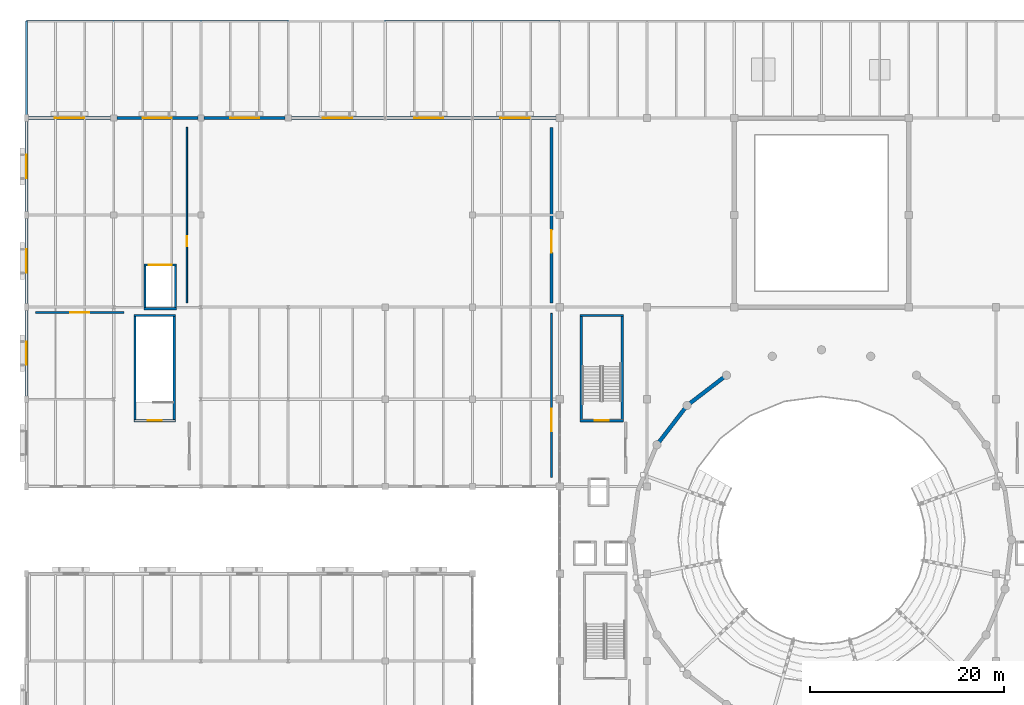
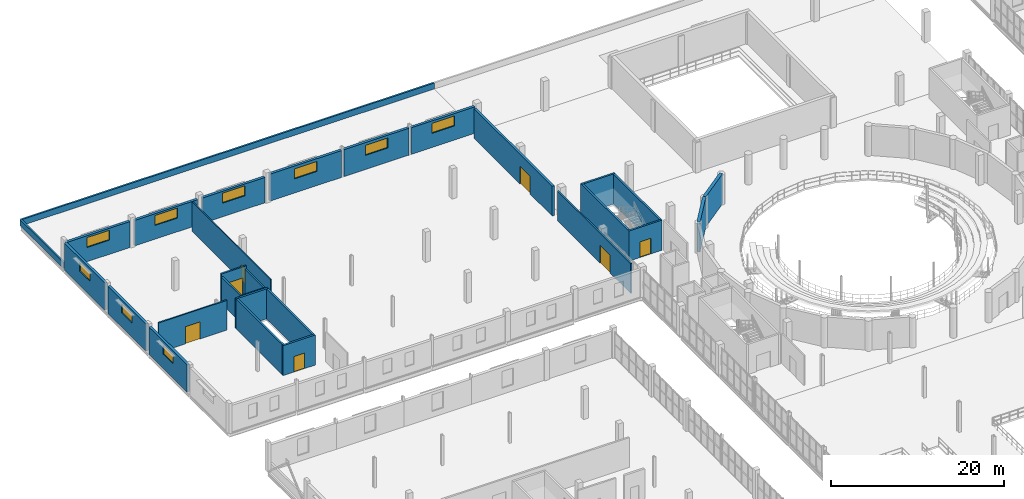
# One storey, part 66 of 85: 29 walls, 9 windows, 7 doors, 16 openings.
"""IFC4 building model written with IfcOpenShell, lengths in metres."""

from ifc_helpers import new_model, si_unit, direction, frame, frame_2d, origin, place, context, subcontext, project, spatial, rectangle, extrude, material, layer, layer_set, type_object, element, fill, save


model = new_model("IFC4")

# Units and contexts
model_context = context("Model", 3, precision=1e-05, world=origin(), true_north=direction((0.0, 1.0)))
body_context = subcontext(model_context, "Body", "Model", "MODEL_VIEW")
ifc_project = project(units=[si_unit("LENGTHUNIT", "METRE"), si_unit("AREAUNIT", "SQUARE_METRE"), si_unit("VOLUMEUNIT", "CUBIC_METRE"), si_unit("PLANEANGLEUNIT", "RADIAN"), si_unit("MASSUNIT", "GRAM", prefix="KILO")], contexts=[model_context])

# Site, building, storey
site_placement = place(None, origin())
site = spatial("IfcSite", under=ifc_project, at=site_placement, CompositionType="ELEMENT")
building_placement = place(site_placement, origin())
building = spatial("IfcBuilding", under=site, at=building_placement, Name="Marnock Terrace Opera House", CompositionType="ELEMENT")
storey_placement = place(building_placement, frame((0.0, 0.0, 10.199951171875)))
storey = spatial("IfcBuildingStorey", under=building, at=storey_placement, Name="L02", CompositionType="ELEMENT", Elevation=10.199951171875)

# Walls
ifc_material_1 = material(Name="Pale hydraulic lime architectural render on masonry", Category="masonry")
ifc_layer_1 = layer(ifc_material_1, 0.22998046875)
ifc_layer_set_1 = layer_set([ifc_layer_1], Name="Pale hydraulic lime architectural render on masonry")
wall_type_1 = type_object("IfcWallType", Name="EW-PARA-230", PredefinedType="PARAPET", material=ifc_layer_set_1)
wall_1_placement = place(storey_placement, frame((0.0, 114.0, 0.0), z_axis=(0.0, 0.0, 1.0), x_axis=(1.0, 0.0, 0.0)))
element("IfcWall", 1, at=wall_1_placement, inside=storey, type_object=wall_type_1, Name="Stone parapet PARA-V4-STEP-N", PredefinedType="PARAPET", context=body_context, shape_type="SweptSolid", body=[
    extrude(rectangle(XDim=55.0, YDim=0.22998046875, at=frame_2d((27.5, 0.0))), origin(), (0.0, 0.0, 1.0), 0.85009765625),
])
wall_2_placement = place(storey_placement, frame((0.0, 104.0, 0.0), z_axis=(0.0, 0.0, 1.0), x_axis=(0.0, 1.0, 0.0)))
element("IfcWall", 2, at=wall_2_placement, inside=storey, type_object=wall_type_1, Name="Stone parapet PARA-V4-STEP-W", PredefinedType="PARAPET", context=body_context, shape_type="SweptSolid", body=[
    extrude(rectangle(XDim=10.0, YDim=0.22998046875, at=frame_2d((5.0, 0.0))), origin(), (0.0, 0.0, 1.0), 0.85009765625),
])

# Wall, opening, window
ifc_material_2 = material(Name="Carey Gully rusticated stone masonry", Category="masonry")
ifc_layer_2 = layer(ifc_material_2, 0.340087890625)
ifc_layer_set_2 = layer_set([ifc_layer_2], Name="Carey Gully rusticated stone masonry")
wall_type_2 = type_object("IfcWallType", Name="EW-WORK-340", PredefinedType="SOLIDWALL", material=ifc_layer_set_2)
wall_3_placement = place(storey_placement, frame((0.0, 75.345947265625, 0.0), z_axis=(0.0, 0.0, 1.0), x_axis=(0.0, 1.0, 0.0)))
wall_3 = element("IfcWall", 3, at=wall_3_placement, inside=storey, type_object=wall_type_2, Name="L02 Workshops west stone wall 2", PredefinedType="SOLIDWALL", context=body_context, shape_type="SweptSolid", body=[
    extrude(rectangle(XDim=8.80810546875, YDim=0.340087890625, at=frame_2d((4.404052734375, 0.0))), origin(), (0.0, 0.0, 1.0), 3.841552734375),
])
opening_1_placement = place(wall_3_placement, frame((3.2041015625, 0.0, 2.0)))
opening_1 = element("IfcOpeningElement", 4, at=opening_1_placement, cuts=wall_3, Name="Opening WT-132", PredefinedType="OPENING", context=body_context, shape_type="SweptSolid", body=[
    extrude(rectangle(XDim=2.39990234375, YDim=1.25, at=frame_2d((1.199951171875, 0.625))), frame((0.0, 0.179931640625, 0.0), z_axis=(0.0, -1.0, 0.0), x_axis=(1.0, 0.0, 0.0)), (0.0, 0.0, 1.0), 0.360107421875),
])
ifc_material_3 = material(Name="Double-glazed acoustic low-E laminated glass", Category="glass")
window_type_1 = type_object("IfcWindowType", Name="WT-CLERESTORY-2400", PartitioningType="DOUBLE_PANEL_VERTICAL", PredefinedType="WINDOW", material=ifc_material_3)
window_1_placement = place(opening_1_placement, origin())
window_1 = element("IfcWindow", 5, at=window_1_placement, inside=storey, type_object=window_type_1, Name="L02 facade window EW-V4W-L02-2.1", OverallHeight=1.25, OverallWidth=2.39990234375, PartitioningType="SINGLE_PANEL", PredefinedType="WINDOW", context=body_context, shape_type="SweptSolid", body=[
    extrude(rectangle(XDim=2.39990234375, YDim=1.25, at=frame_2d((1.199951171875, 0.625))), frame((0.0, 0.030029296875, 0.0), z_axis=(0.0, -1.0, 0.0), x_axis=(1.0, 0.0, 0.0)), (0.0, 0.0, 1.0), 0.06005859375),
])
fill(opening_1, window_1)

wall_4_placement = place(storey_placement, frame((0.0, 84.845947265625, 0.0), z_axis=(0.0, 0.0, 1.0), x_axis=(0.0, 1.0, 0.0)))
wall_4 = element("IfcWall", 6, at=wall_4_placement, inside=storey, type_object=wall_type_2, Name="L02 Workshops west stone wall 3", PredefinedType="SOLIDWALL", context=body_context, shape_type="SweptSolid", body=[
    extrude(rectangle(XDim=8.80810546875, YDim=0.340087890625, at=frame_2d((4.404052734375, 0.0))), origin(), (0.0, 0.0, 1.0), 3.841552734375),
])
opening_2_placement = place(wall_4_placement, frame((3.2041015625, 0.0, 2.0)))
opening_2 = element("IfcOpeningElement", 7, at=opening_2_placement, cuts=wall_4, Name="Opening WT-132", PredefinedType="OPENING", context=body_context, shape_type="SweptSolid", body=[
    extrude(rectangle(XDim=2.39990234375, YDim=1.25, at=frame_2d((1.199951171875, 0.625))), frame((0.0, 0.179931640625, 0.0), z_axis=(0.0, -1.0, 0.0), x_axis=(1.0, 0.0, 0.0)), (0.0, 0.0, 1.0), 0.360107421875),
])
window_2_placement = place(opening_2_placement, origin())
window_2 = element("IfcWindow", 8, at=window_2_placement, inside=storey, type_object=window_type_1, Name="L02 facade window EW-V4W-L02-3.1", OverallHeight=1.25, OverallWidth=2.39990234375, PartitioningType="SINGLE_PANEL", PredefinedType="WINDOW", context=body_context, shape_type="SweptSolid", body=[
    extrude(rectangle(XDim=2.39990234375, YDim=1.25, at=frame_2d((1.199951171875, 0.625))), frame((0.0, 0.030029296875, 0.0), z_axis=(0.0, -1.0, 0.0), x_axis=(1.0, 0.0, 0.0)), (0.0, 0.0, 1.0), 0.06005859375),
])
fill(opening_2, window_2)

wall_5_placement = place(storey_placement, frame((0.0, 94.345947265625, 0.0), z_axis=(0.0, 0.0, 1.0), x_axis=(0.0, 1.0, 0.0)))
wall_5 = element("IfcWall", 9, at=wall_5_placement, inside=storey, type_object=wall_type_2, Name="L02 Workshops west stone wall 4", PredefinedType="SOLIDWALL", context=body_context, shape_type="SweptSolid", body=[
    extrude(rectangle(XDim=9.30810546875, YDim=0.340087890625, at=frame_2d((4.654052734375, 0.0))), origin(), (0.0, 0.0, 1.0), 3.841552734375),
])
opening_3_placement = place(wall_5_placement, frame((3.4541015625, 0.0, 2.0)))
opening_3 = element("IfcOpeningElement", 10, at=opening_3_placement, cuts=wall_5, Name="Opening WT-132", PredefinedType="OPENING", context=body_context, shape_type="SweptSolid", body=[
    extrude(rectangle(XDim=2.39990234375, YDim=1.25, at=frame_2d((1.199951171875, 0.625))), frame((0.0, 0.179931640625, 0.0), z_axis=(0.0, -1.0, 0.0), x_axis=(1.0, 0.0, 0.0)), (0.0, 0.0, 1.0), 0.360107421875),
])
window_3_placement = place(opening_3_placement, origin())
window_3 = element("IfcWindow", 11, at=window_3_placement, inside=storey, type_object=window_type_1, Name="L02 facade window EW-V4W-L02-4.1", OverallHeight=1.25, OverallWidth=2.39990234375, PartitioningType="SINGLE_PANEL", PredefinedType="WINDOW", context=body_context, shape_type="SweptSolid", body=[
    extrude(rectangle(XDim=2.39990234375, YDim=1.25, at=frame_2d((1.199951171875, 0.625))), frame((0.0, 0.030029296875, 0.0), z_axis=(0.0, -1.0, 0.0), x_axis=(1.0, 0.0, 0.0)), (0.0, 0.0, 1.0), 0.06005859375),
])
fill(opening_3, window_3)

wall_6_placement = place(storey_placement, frame((0.196044921875, 104.0, 0.0), z_axis=(0.0, 0.0, 1.0), x_axis=(1.0, 0.0, 0.0)))
wall_6 = element("IfcWall", 12, at=wall_6_placement, inside=storey, type_object=wall_type_2, Name="L02 Workshops north facade wall 1", PredefinedType="SOLIDWALL", context=body_context, shape_type="SweptSolid", body=[
    extrude(rectangle(XDim=8.48291015625, YDim=0.340087890625, at=frame_2d((4.241455078125, 0.0))), origin(), (0.0, 0.0, 1.0), 3.6669921875),
])
opening_4_placement = place(wall_6_placement, frame((2.741455078125, 0.0, 2.0)))
opening_4 = element("IfcOpeningElement", 13, at=opening_4_placement, cuts=wall_6, Name="Opening WT-79", PredefinedType="OPENING", context=body_context, shape_type="SweptSolid", body=[
    extrude(rectangle(XDim=3.0, YDim=1.39990234375, at=frame_2d((1.5, 0.699951171875))), frame((0.0, 0.179931640625, 0.0), z_axis=(0.0, -1.0, 0.0), x_axis=(1.0, 0.0, 0.0)), (0.0, 0.0, 1.0), 0.360107421875),
])
window_type_2 = type_object("IfcWindowType", Name="WT-CLERESTORY-3000", PartitioningType="TRIPLE_PANEL_VERTICAL", PredefinedType="WINDOW", material=ifc_material_3)
window_4_placement = place(opening_4_placement, origin())
window_4 = element("IfcWindow", 14, at=window_4_placement, inside=storey, type_object=window_type_2, Name="L02 facade window EW-V4N-L02-1.1", OverallHeight=1.39990234375, OverallWidth=3.0, PartitioningType="SINGLE_PANEL", PredefinedType="WINDOW", context=body_context, shape_type="SweptSolid", body=[
    extrude(rectangle(XDim=3.0, YDim=1.39990234375, at=frame_2d((1.5, 0.699951171875))), frame((0.0, 0.030029296875, 0.0), z_axis=(0.0, -1.0, 0.0), x_axis=(1.0, 0.0, 0.0)), (0.0, 0.0, 1.0), 0.06005859375),
])
fill(opening_4, window_4)

wall_7_placement = place(storey_placement, frame((9.321044921875, 104.0, 0.0), z_axis=(0.0, 0.0, 1.0), x_axis=(1.0, 0.0, 0.0)))
wall_7 = element("IfcWall", 15, at=wall_7_placement, inside=storey, type_object=wall_type_2, Name="L02 Workshops north facade wall 2", PredefinedType="SOLIDWALL", context=body_context, shape_type="SweptSolid", body=[
    extrude(rectangle(XDim=8.35791015625, YDim=0.340087890625, at=frame_2d((4.178955078125, 0.0))), origin(), (0.0, 0.0, 1.0), 3.593017578125),
])
opening_5_placement = place(wall_7_placement, frame((2.678955078125, 0.0, 1.943115234375)))
opening_5 = element("IfcOpeningElement", 16, at=opening_5_placement, cuts=wall_7, Name="Opening WT-79", PredefinedType="OPENING", context=body_context, shape_type="SweptSolid", body=[
    extrude(rectangle(XDim=3.0, YDim=1.39990234375, at=frame_2d((1.5, 0.699951171875))), frame((0.0, 0.179931640625, 0.0), z_axis=(0.0, -1.0, 0.0), x_axis=(1.0, 0.0, 0.0)), (0.0, 0.0, 1.0), 0.360107421875),
])
window_5_placement = place(opening_5_placement, origin())
window_5 = element("IfcWindow", 17, at=window_5_placement, inside=storey, type_object=window_type_2, Name="L02 facade window EW-V4N-L02-2.1", OverallHeight=1.39990234375, OverallWidth=3.0, PartitioningType="SINGLE_PANEL", PredefinedType="WINDOW", context=body_context, shape_type="SweptSolid", body=[
    extrude(rectangle(XDim=3.0, YDim=1.39990234375, at=frame_2d((1.5, 0.699951171875))), frame((0.0, 0.030029296875, 0.0), z_axis=(0.0, -1.0, 0.0), x_axis=(1.0, 0.0, 0.0)), (0.0, 0.0, 1.0), 0.06005859375),
])
fill(opening_5, window_5)

wall_8_placement = place(storey_placement, frame((18.321044921875, 104.0, 0.0), z_axis=(0.0, 0.0, 1.0), x_axis=(1.0, 0.0, 0.0)))
wall_8 = element("IfcWall", 18, at=wall_8_placement, inside=storey, type_object=wall_type_2, Name="L02 Workshops north facade wall 3", PredefinedType="SOLIDWALL", context=body_context, shape_type="SweptSolid", body=[
    extrude(rectangle(XDim=8.35791015625, YDim=0.340087890625, at=frame_2d((4.178955078125, 0.0))), origin(), (0.0, 0.0, 1.0), 3.58837890625),
])
opening_6_placement = place(wall_8_placement, frame((2.678955078125, 0.0, 1.93798828125)))
opening_6 = element("IfcOpeningElement", 19, at=opening_6_placement, cuts=wall_8, Name="Opening WT-79", PredefinedType="OPENING", context=body_context, shape_type="SweptSolid", body=[
    extrude(rectangle(XDim=3.0, YDim=1.39990234375, at=frame_2d((1.5, 0.699951171875))), frame((0.0, 0.179931640625, 0.0), z_axis=(0.0, -1.0, 0.0), x_axis=(1.0, 0.0, 0.0)), (0.0, 0.0, 1.0), 0.360107421875),
])
window_6_placement = place(opening_6_placement, origin())
window_6 = element("IfcWindow", 20, at=window_6_placement, inside=storey, type_object=window_type_2, Name="L02 facade window EW-V4N-L02-3.1", OverallHeight=1.39990234375, OverallWidth=3.0, PartitioningType="SINGLE_PANEL", PredefinedType="WINDOW", context=body_context, shape_type="SweptSolid", body=[
    extrude(rectangle(XDim=3.0, YDim=1.39990234375, at=frame_2d((1.5, 0.699951171875))), frame((0.0, 0.030029296875, 0.0), z_axis=(0.0, -1.0, 0.0), x_axis=(1.0, 0.0, 0.0)), (0.0, 0.0, 1.0), 0.06005859375),
])
fill(opening_6, window_6)

wall_9_placement = place(storey_placement, frame((27.321044921875, 104.0, 0.0), z_axis=(0.0, 0.0, 1.0), x_axis=(1.0, 0.0, 0.0)))
wall_9 = element("IfcWall", 21, at=wall_9_placement, inside=storey, type_object=wall_type_2, Name="L02 Workshops north facade wall 4", PredefinedType="SOLIDWALL", context=body_context, shape_type="SweptSolid", body=[
    extrude(rectangle(XDim=9.529541015625, YDim=0.340087890625, at=frame_2d((4.7646484375, 0.0))), origin(), (0.0, 0.0, 1.0), 3.79736328125),
])
opening_7_placement = place(wall_9_placement, frame((3.2646484375, 0.0, 2.0)))
opening_7 = element("IfcOpeningElement", 22, at=opening_7_placement, cuts=wall_9, Name="Opening WT-79", PredefinedType="OPENING", context=body_context, shape_type="SweptSolid", body=[
    extrude(rectangle(XDim=3.0, YDim=1.39990234375, at=frame_2d((1.5, 0.699951171875))), frame((0.0, 0.179931640625, 0.0), z_axis=(0.0, -1.0, 0.0), x_axis=(1.0, 0.0, 0.0)), (0.0, 0.0, 1.0), 0.360107421875),
])
window_7_placement = place(opening_7_placement, origin())
window_7 = element("IfcWindow", 23, at=window_7_placement, inside=storey, type_object=window_type_2, Name="L02 facade window EW-V4N-L02-4.1", OverallHeight=1.39990234375, OverallWidth=3.0, PartitioningType="SINGLE_PANEL", PredefinedType="WINDOW", context=body_context, shape_type="SweptSolid", body=[
    extrude(rectangle(XDim=3.0, YDim=1.39990234375, at=frame_2d((1.5, 0.699951171875))), frame((0.0, 0.030029296875, 0.0), z_axis=(0.0, -1.0, 0.0), x_axis=(1.0, 0.0, 0.0)), (0.0, 0.0, 1.0), 0.06005859375),
])
fill(opening_7, window_7)

wall_10_placement = place(storey_placement, frame((37.1494140625, 104.0, 0.0), z_axis=(0.0, 0.0, 1.0), x_axis=(1.0, 0.0, 0.0)))
wall_10 = element("IfcWall", 24, at=wall_10_placement, inside=storey, type_object=wall_type_2, Name="L02 Workshops north facade wall 5", PredefinedType="SOLIDWALL", context=body_context, shape_type="SweptSolid", body=[
    extrude(rectangle(XDim=8.701171875, YDim=0.340087890625, at=frame_2d((4.3505859375, 0.0))), origin(), (0.0, 0.0, 1.0), 3.79736328125),
])
opening_8_placement = place(wall_10_placement, frame((2.8505859375, 0.0, 2.0)))
opening_8 = element("IfcOpeningElement", 25, at=opening_8_placement, cuts=wall_10, Name="Opening WT-79", PredefinedType="OPENING", context=body_context, shape_type="SweptSolid", body=[
    extrude(rectangle(XDim=3.0, YDim=1.39990234375, at=frame_2d((1.5, 0.699951171875))), frame((0.0, 0.179931640625, 0.0), z_axis=(0.0, -1.0, 0.0), x_axis=(1.0, 0.0, 0.0)), (0.0, 0.0, 1.0), 0.360107421875),
])
window_8_placement = place(opening_8_placement, origin())
window_8 = element("IfcWindow", 26, at=window_8_placement, inside=storey, type_object=window_type_2, Name="L02 facade window EW-V4N-L02-5.1", OverallHeight=1.39990234375, OverallWidth=3.0, PartitioningType="SINGLE_PANEL", PredefinedType="WINDOW", context=body_context, shape_type="SweptSolid", body=[
    extrude(rectangle(XDim=3.0, YDim=1.39990234375, at=frame_2d((1.5, 0.699951171875))), frame((0.0, 0.030029296875, 0.0), z_axis=(0.0, -1.0, 0.0), x_axis=(1.0, 0.0, 0.0)), (0.0, 0.0, 1.0), 0.06005859375),
])
fill(opening_8, window_8)

wall_11_placement = place(storey_placement, frame((46.1494140625, 104.0, 0.0), z_axis=(0.0, 0.0, 1.0), x_axis=(1.0, 0.0, 0.0)))
wall_11 = element("IfcWall", 27, at=wall_11_placement, inside=storey, type_object=wall_type_2, Name="L02 Workshops north facade wall 6", PredefinedType="SOLIDWALL", context=body_context, shape_type="SweptSolid", body=[
    extrude(rectangle(XDim=8.4794921875, YDim=0.340087890625, at=frame_2d((4.23974609375, 0.0))), origin(), (0.0, 0.0, 1.0), 3.73974609375),
])
opening_9_placement = place(wall_11_placement, frame((2.73974609375, 0.0, 2.0)))
opening_9 = element("IfcOpeningElement", 28, at=opening_9_placement, cuts=wall_11, Name="Opening WT-79", PredefinedType="OPENING", context=body_context, shape_type="SweptSolid", body=[
    extrude(rectangle(XDim=3.0, YDim=1.39990234375, at=frame_2d((1.5, 0.699951171875))), frame((0.0, 0.179931640625, 0.0), z_axis=(0.0, -1.0, 0.0), x_axis=(1.0, 0.0, 0.0)), (0.0, 0.0, 1.0), 0.360107421875),
])
window_9_placement = place(opening_9_placement, origin())
window_9 = element("IfcWindow", 29, at=window_9_placement, inside=storey, type_object=window_type_2, Name="L02 facade window EW-V4N-L02-6.1", OverallHeight=1.39990234375, OverallWidth=3.0, PartitioningType="SINGLE_PANEL", PredefinedType="WINDOW", context=body_context, shape_type="SweptSolid", body=[
    extrude(rectangle(XDim=3.0, YDim=1.39990234375, at=frame_2d((1.5, 0.699951171875))), frame((0.0, 0.030029296875, 0.0), z_axis=(0.0, -1.0, 0.0), x_axis=(1.0, 0.0, 0.0)), (0.0, 0.0, 1.0), 0.06005859375),
])
fill(opening_9, window_9)

# Wall, opening, door
ifc_material_4 = material(Name="Double-stud acoustic plasterboard with mineral-wool infill")
ifc_layer_3 = layer(ifc_material_4, 0.294921875)
ifc_layer_set_3 = layer_set([ifc_layer_3], Name="Double-stud acoustic plasterboard with mineral-wool infill")
wall_type_3 = type_object("IfcWallType", Name="IW-ACOUSTIC-295", PredefinedType="PARTITIONING", material=ifc_layer_set_3)
wall_12_placement = place(storey_placement, frame((54.14990234375, 84.949951171875, 0.0), z_axis=(0.0, 0.0, 1.0), x_axis=(0.0, 1.0, 0.0)))
wall_12 = element("IfcWall", 30, at=wall_12_placement, inside=storey, type_object=wall_type_3, Name="L02 Scenic Model-Making Studio acoustic partition wall", PredefinedType="PARTITIONING", context=body_context, shape_type="SweptSolid", body=[
    extrude(rectangle(XDim=18.10009765625, YDim=0.294921875, at=frame_2d((9.050048828125, 0.0))), origin(), (0.0, 0.0, 1.0), 4.18994140625),
])
opening_10_placement = place(wall_12_placement, frame((5.18505859375, 0.0, 0.0)))
opening_10 = element("IfcOpeningElement", 31, at=opening_10_placement, cuts=wall_12, Name="Opening D-L02-16", PredefinedType="OPENING", context=body_context, shape_type="SweptSolid", body=[
    extrude(rectangle(XDim=2.300048828125, YDim=2.52001953125, at=frame_2d((1.14990234375, 1.260009765625))), frame((0.0, 0.157470703125, 0.0), z_axis=(0.0, -1.0, 0.0), x_axis=(1.0, 0.0, 0.0)), (0.0, 0.0, 1.0), 0.31494140625),
])
ifc_material_5 = material(Name="Fire-rated acoustic timber-core door assembly", Category="wood")
door_type_1 = type_object("IfcDoorType", Name="DT-WORK-2300", OperationType="NOTDEFINED", PredefinedType="DOOR", material=ifc_material_5)
door_1_placement = place(opening_10_placement, origin())
door_1 = element("IfcDoor", 32, at=door_1_placement, inside=storey, type_object=door_type_1, Name="L02 Scenic Model-Making Studio entrance door", OperationType="DOUBLE_DOOR_SINGLE_SWING", OverallHeight=2.52001953125, OverallWidth=2.300048828125, PredefinedType="DOOR", context=body_context, shape_type="SweptSolid", body=[
    extrude(rectangle(XDim=2.300048828125, YDim=2.52001953125, at=frame_2d((1.14990234375, 1.260009765625))), frame((0.0, 0.02490234375, 0.0), z_axis=(0.0, -1.0, 0.0), x_axis=(1.0, 0.0, 0.0)), (0.0, 0.0, 1.0), 0.050048828125),
])
fill(opening_10, door_1)

ifc_material_6 = material(Name="Rendered acoustic concrete blockwork", Category="masonry")
ifc_layer_4 = layer(ifc_material_6, 0.18505859375)
ifc_layer_set_4 = layer_set([ifc_layer_4], Name="Rendered acoustic concrete blockwork")
wall_type_4 = type_object("IfcWallType", Name="IW-FIRE-185", PredefinedType="PARTITIONING", material=ifc_layer_set_4)
wall_13_placement = place(storey_placement, frame((0.949951171875, 83.949951171875, 0.0), z_axis=(0.0, 0.0, 1.0), x_axis=(1.0, 0.0, 0.0)))
wall_13 = element("IfcWall", 33, at=wall_13_placement, inside=storey, type_object=wall_type_4, Name="L02 Stage Armoury and Props Conservation acoustic partition wall", PredefinedType="PARTITIONING", context=body_context, shape_type="SweptSolid", body=[
    extrude(rectangle(XDim=9.10009765625, YDim=0.18505859375, at=frame_2d((4.550048828125, 0.0))), origin(), (0.0, 0.0, 1.0), 4.18994140625),
])
opening_11_placement = place(wall_13_placement, frame((3.56005859375, 0.0, 0.0)))
opening_11 = element("IfcOpeningElement", 34, at=opening_11_placement, cuts=wall_13, Name="Opening D-L02-15", PredefinedType="OPENING", context=body_context, shape_type="SweptSolid", body=[
    extrude(rectangle(XDim=1.97998046875, YDim=2.419921875, at=frame_2d((0.989990234375, 1.2099609375))), frame((0.0, 0.1025390625, 0.0), z_axis=(0.0, -1.0, 0.0), x_axis=(1.0, 0.0, 0.0)), (0.0, 0.0, 1.0), 0.205078125),
])
door_type_2 = type_object("IfcDoorType", Name="DT-WORK-1980", OperationType="NOTDEFINED", PredefinedType="DOOR", material=ifc_material_5)
door_2_placement = place(opening_11_placement, origin())
door_2 = element("IfcDoor", 35, at=door_2_placement, inside=storey, type_object=door_type_2, Name="L02 Stage Armoury and Props Conservation entrance door", OperationType="DOUBLE_DOOR_SINGLE_SWING", OverallHeight=2.419921875, OverallWidth=1.97998046875, PredefinedType="DOOR", context=body_context, shape_type="SweptSolid", body=[
    extrude(rectangle(XDim=1.97998046875, YDim=2.419921875, at=frame_2d((0.989990234375, 1.2099609375))), frame((0.0, 0.02490234375, 0.0), z_axis=(0.0, -1.0, 0.0), x_axis=(1.0, 0.0, 0.0)), (0.0, 0.0, 1.0), 0.050048828125),
])
fill(opening_11, door_2)

ifc_layer_5 = layer(ifc_material_6, 0.195068359375)
ifc_layer_set_5 = layer_set([ifc_layer_5], Name="Rendered acoustic concrete blockwork")
wall_type_5 = type_object("IfcWallType", Name="IW-FIRE-195", PredefinedType="PARTITIONING", material=ifc_layer_set_5)
wall_14_placement = place(storey_placement, frame((54.14990234375, 66.949951171875, 0.0), z_axis=(0.0, 0.0, 1.0), x_axis=(0.0, 1.0, 0.0)))
wall_14 = element("IfcWall", 36, at=wall_14_placement, inside=storey, type_object=wall_type_5, Name="L02 Costume Design and Pattern Studio acoustic partition wall", PredefinedType="PARTITIONING", context=body_context, shape_type="SweptSolid", body=[
    extrude(rectangle(XDim=16.900146484375, YDim=0.195068359375, at=frame_2d((8.4501953125, 0.0))), origin(), (0.0, 0.0, 1.0), 4.18994140625),
])
opening_12_placement = place(wall_14_placement, frame((4.764892578125, 0.0, 0.0)))
opening_12 = element("IfcOpeningElement", 37, at=opening_12_placement, cuts=wall_14, Name="Opening D-L02-14", PredefinedType="OPENING", context=body_context, shape_type="SweptSolid", body=[
    extrude(rectangle(XDim=2.300048828125, YDim=2.52001953125, at=frame_2d((1.14990234375, 1.260009765625))), frame((0.0, 0.107421875, 0.0), z_axis=(0.0, -1.0, 0.0), x_axis=(1.0, 0.0, 0.0)), (0.0, 0.0, 1.0), 0.215087890625),
])
door_3_placement = place(opening_12_placement, origin())
door_3 = element("IfcDoor", 38, at=door_3_placement, inside=storey, type_object=door_type_1, Name="L02 Costume Design and Pattern Studio entrance door", OperationType="DOUBLE_DOOR_SINGLE_SWING", OverallHeight=2.52001953125, OverallWidth=2.300048828125, PredefinedType="DOOR", context=body_context, shape_type="SweptSolid", body=[
    extrude(rectangle(XDim=2.300048828125, YDim=2.52001953125, at=frame_2d((1.14990234375, 1.260009765625))), frame((0.0, 0.02490234375, 0.0), z_axis=(0.0, -1.0, 0.0), x_axis=(1.0, 0.0, 0.0)), (0.0, 0.0, 1.0), 0.050048828125),
])
fill(opening_12, door_3)

ifc_layer_6 = layer(ifc_material_4, 0.137939453125)
ifc_layer_set_6 = layer_set([ifc_layer_6], Name="Double-stud acoustic plasterboard with mineral-wool infill")
wall_type_6 = type_object("IfcWallType", Name="IW-PART-138", PredefinedType="PARTITIONING", material=ifc_layer_set_6)
wall_15_placement = place(storey_placement, frame((16.550048828125, 84.949951171875, 0.0), z_axis=(0.0, 0.0, 1.0), x_axis=(0.0, 1.0, 0.0)))
wall_15 = element("IfcWall", 39, at=wall_15_placement, inside=storey, type_object=wall_type_6, Name="L02 Workshop Staff Room and Pantry acoustic partition wall", PredefinedType="PARTITIONING", context=body_context, shape_type="SweptSolid", body=[
    extrude(rectangle(XDim=18.10009765625, YDim=0.137939453125, at=frame_2d((9.050048828125, 0.0))), origin(), (0.0, 0.0, 1.0), 4.18994140625),
])
opening_13_placement = place(wall_15_placement, frame((5.824951171875, 0.0, 0.0)))
opening_13 = element("IfcOpeningElement", 40, at=opening_13_placement, cuts=wall_15, Name="Opening D-L02-17", PredefinedType="OPENING", context=body_context, shape_type="SweptSolid", body=[
    extrude(rectangle(XDim=1.02001953125, YDim=2.179931640625, at=frame_2d((0.510009765625, 1.08984375))), frame((0.0, 0.078857421875, 0.0), z_axis=(0.0, -1.0, 0.0), x_axis=(1.0, 0.0, 0.0)), (0.0, 0.0, 1.0), 0.157958984375),
])
ifc_material_7 = material(Name="Solid-core Tasmanian oak acoustic door leaf")
door_type_3 = type_object("IfcDoorType", Name="DT-SUITE-1020", OperationType="NOTDEFINED", PredefinedType="DOOR", material=ifc_material_7)
door_4_placement = place(opening_13_placement, origin())
door_4 = element("IfcDoor", 41, at=door_4_placement, inside=storey, type_object=door_type_3, Name="L02 Workshop Staff Room and Pantry entrance door", OperationType="SINGLE_SWING_LEFT", OverallHeight=2.179931640625, OverallWidth=1.02001953125, PredefinedType="DOOR", context=body_context, shape_type="SweptSolid", body=[
    extrude(rectangle(XDim=1.02001953125, YDim=2.179931640625, at=frame_2d((0.510009765625, 1.08984375))), frame((0.0, 0.02490234375, 0.0), z_axis=(0.0, -1.0, 0.0), x_axis=(1.0, 0.0, 0.0)), (0.0, 0.0, 1.0), 0.050048828125),
])
fill(opening_13, door_4)

ifc_layer_7 = layer(ifc_material_6, 0.22509765625)
ifc_layer_set_7 = layer_set([ifc_layer_7], Name="Rendered acoustic concrete blockwork")
wall_type_7 = type_object("IfcWallType", Name="IW-SHAFT-225", PredefinedType="SOLIDWALL", material=ifc_layer_set_7)
wall_16_placement = place(storey_placement, frame((12.12744140625, 88.860107421875, 0.0), z_axis=(0.0, 0.0, 1.0), x_axis=(1.0, 0.0, 0.0)))
wall_16 = element("IfcWall", 42, at=wall_16_placement, inside=storey, type_object=wall_type_7, Name="L02 Lift GL-01 front shaft wall", PredefinedType="SOLIDWALL", context=body_context, shape_type="SweptSolid", body=[
    extrude(rectangle(XDim=3.344970703125, YDim=0.22509765625, at=frame_2d((1.67236328125, 0.0))), origin(), (0.0, 0.0, 1.0), 4.18994140625),
])
opening_14_placement = place(wall_16_placement, frame((0.472412109375, 0.0, 0.0)))
opening_14 = element("IfcOpeningElement", 43, at=opening_14_placement, cuts=wall_16, Name="Opening LD-GL-01-L02", PredefinedType="OPENING", context=body_context, shape_type="SweptSolid", body=[
    extrude(rectangle(XDim=2.39990234375, YDim=2.64990234375, at=frame_2d((1.199951171875, 1.324951171875))), frame((0.0, 0.12255859375, 0.0), z_axis=(0.0, -1.0, 0.0), x_axis=(1.0, 0.0, 0.0)), (0.0, 0.0, 1.0), 0.2451171875),
])
ifc_material_8 = material(Name="Brushed stainless steel landing door assembly", Category="steel")
door_type_4 = type_object("IfcDoorType", Name="DT-LIFT-2400", OperationType="NOTDEFINED", PredefinedType="DOOR", material=ifc_material_8)
door_5_placement = place(opening_14_placement, origin())
door_5 = element("IfcDoor", 44, at=door_5_placement, inside=storey, type_object=door_type_4, Name="L02 Lift GL-01 sliding landing door", OperationType="DOUBLE_DOOR_SLIDING", OverallHeight=2.64990234375, OverallWidth=2.39990234375, PredefinedType="DOOR", context=body_context, shape_type="SweptSolid", body=[
    extrude(rectangle(XDim=2.39990234375, YDim=2.64990234375, at=frame_2d((1.199951171875, 1.324951171875))), frame((0.0, 0.02490234375, 0.0), z_axis=(0.0, -1.0, 0.0), x_axis=(1.0, 0.0, 0.0)), (0.0, 0.0, 1.0), 0.050048828125),
])
fill(opening_14, door_5)

# Walls
wall_17_placement = place(storey_placement, frame((12.12744140625, 84.340087890625, 0.0), z_axis=(0.0, 0.0, 1.0), x_axis=(1.0, 0.0, 0.0)))
element("IfcWall", 45, at=wall_17_placement, inside=storey, type_object=wall_type_7, Name="L02 Lift GL-01 rear shaft wall", PredefinedType="SOLIDWALL", context=body_context, shape_type="SweptSolid", body=[
    extrude(rectangle(XDim=3.344970703125, YDim=0.22509765625, at=frame_2d((1.67236328125, 0.0))), origin(), (0.0, 0.0, 1.0), 3.79736328125),
])
for number, where, z_axis, x_axis, name in (
    (46, (12.239990234375, 84.340087890625, 0.0), (0.0, 0.0, 1.0), (0.0, 1.0, 0.0), "L02 Lift GL-01 west shaft wall"),
    (47, (15.360107421875, 84.340087890625, 0.0), (0.0, 0.0, 1.0), (0.0, 1.0, 0.0), "L02 Lift GL-01 east shaft wall"),
):
    element("IfcWall", number, at=place(storey_placement, frame(where, z_axis=z_axis, x_axis=x_axis)), inside=storey, type_object=wall_type_7, Name=name, PredefinedType="SOLIDWALL", context=body_context, shape_type="SweptSolid", body=[
        extrude(rectangle(XDim=4.52001953125, YDim=0.22509765625, at=frame_2d((2.260009765625, 0.0))), origin(), (0.0, 0.0, 1.0), 3.79736328125),
    ])

# Wall, opening, door
ifc_material_9 = material(Name="Concrete N40 (f'c = 40 MPa)", Category="concrete")
ifc_layer_8 = layer(ifc_material_9, 0.25)
ifc_layer_set_8 = layer_set([ifc_layer_8], Name="Concrete N40 (f'c = 40 MPa)")
wall_type_8 = type_object("IfcWallType", Name="SW-CORE-250", PredefinedType="SHEAR", material=ifc_layer_set_8)
wall_18_placement = place(storey_placement, frame((57.114990234375, 72.800048828125, 0.0), z_axis=(0.0, 0.0, 1.0), x_axis=(1.0, 0.0, 0.0)))
wall_18 = element("IfcWall", 48, at=wall_18_placement, inside=storey, type_object=wall_type_8, Name="L02 Core C3 FRL 120/120/120 shear wall S", PredefinedType="SHEAR", context=body_context, shape_type="SweptSolid", body=[
    extrude(rectangle(XDim=4.449951171875, YDim=0.25, at=frame_2d((2.22509765625, 0.0))), origin(), (0.0, 0.0, 1.0), 4.239990234375),
])
opening_15_placement = place(wall_18_placement, frame((1.5, 0.0, 0.0)))
opening_15 = element("IfcOpeningElement", 49, at=opening_15_placement, cuts=wall_18, Name="Opening SD-C3-L02", PredefinedType="OPENING", context=body_context, shape_type="SweptSolid", body=[
    extrude(rectangle(XDim=1.449951171875, YDim=2.199951171875, at=frame_2d((0.72509765625, 1.10009765625))), frame((0.0, 0.135009765625, 0.0), z_axis=(0.0, -1.0, 0.0), x_axis=(1.0, 0.0, 0.0)), (0.0, 0.0, 1.0), 0.27001953125),
])
door_type_5 = type_object("IfcDoorType", Name="DT-STAIR-1450", OperationType="NOTDEFINED", PredefinedType="DOOR", material=ifc_material_5)
door_6_placement = place(opening_15_placement, origin())
door_6 = element("IfcDoor", 50, at=door_6_placement, inside=storey, type_object=door_type_5, Name="L02 Stair ST-03 fire-isolated exit door", OperationType="SINGLE_SWING_LEFT", OverallHeight=2.199951171875, OverallWidth=1.449951171875, PredefinedType="DOOR", context=body_context, shape_type="SweptSolid", body=[
    extrude(rectangle(XDim=1.449951171875, YDim=2.199951171875, at=frame_2d((0.72509765625, 1.10009765625))), frame((0.0, 0.02490234375, 0.0), z_axis=(0.0, -1.0, 0.0), x_axis=(1.0, 0.0, 0.0)), (0.0, 0.0, 1.0), 0.050048828125),
])
fill(opening_15, door_6)

# Walls
wall_19_placement = place(storey_placement, frame((57.114990234375, 83.639892578125, 0.0), z_axis=(0.0, 0.0, 1.0), x_axis=(1.0, 0.0, 0.0)))
element("IfcWall", 51, at=wall_19_placement, inside=storey, type_object=wall_type_8, Name="L02 Core C3 FRL 120/120/120 shear wall N", PredefinedType="SHEAR", context=body_context, shape_type="SweptSolid", body=[
    extrude(rectangle(XDim=4.449951171875, YDim=0.25, at=frame_2d((2.22509765625, 0.0))), origin(), (0.0, 0.0, 1.0), 4.239990234375),
])
for number, where, z_axis, x_axis, name in (
    (52, (57.239990234375, 72.675048828125, 0.0), (0.0, 0.0, 1.0), (0.0, 1.0, 0.0), "L02 Core C3 FRL 120/120/120 shear wall W"),
    (53, (61.43994140625, 72.675048828125, 0.0), (0.0, 0.0, 1.0), (0.0, 1.0, 0.0), "L02 Core C3 FRL 120/120/120 shear wall E"),
):
    element("IfcWall", number, at=place(storey_placement, frame(where, z_axis=z_axis, x_axis=x_axis)), inside=storey, type_object=wall_type_8, Name=name, PredefinedType="SHEAR", context=body_context, shape_type="SweptSolid", body=[
        extrude(rectangle(XDim=11.08984375, YDim=0.25, at=frame_2d((5.544921875, 0.0))), origin(), (0.0, 0.0, 1.0), 4.239990234375),
    ])

# Wall, opening, door
wall_20_placement = place(storey_placement, frame((11.074951171875, 72.800048828125, 0.0), z_axis=(0.0, 0.0, 1.0), x_axis=(1.0, 0.0, 0.0)))
wall_20 = element("IfcWall", 54, at=wall_20_placement, inside=storey, type_object=wall_type_8, Name="L02 Core C7 FRL 120/120/120 shear wall S", PredefinedType="SHEAR", context=body_context, shape_type="SweptSolid", body=[
    extrude(rectangle(XDim=4.2900390625, YDim=0.25, at=frame_2d((2.14501953125, 0.0))), origin(), (0.0, 0.0, 1.0), 4.239990234375),
])
opening_16_placement = place(wall_20_placement, frame((1.419921875, 0.0, 0.0)))
opening_16 = element("IfcOpeningElement", 55, at=opening_16_placement, cuts=wall_20, Name="Opening SD-C7-L02", PredefinedType="OPENING", context=body_context, shape_type="SweptSolid", body=[
    extrude(rectangle(XDim=1.449951171875, YDim=2.199951171875, at=frame_2d((0.72509765625, 1.10009765625))), frame((0.0, 0.135009765625, 0.0), z_axis=(0.0, -1.0, 0.0), x_axis=(1.0, 0.0, 0.0)), (0.0, 0.0, 1.0), 0.27001953125),
])
door_7_placement = place(opening_16_placement, origin())
door_7 = element("IfcDoor", 56, at=door_7_placement, inside=storey, type_object=door_type_5, Name="L02 Stair ST-07 fire-isolated exit door", OperationType="SINGLE_SWING_LEFT", OverallHeight=2.199951171875, OverallWidth=1.449951171875, PredefinedType="DOOR", context=body_context, shape_type="SweptSolid", body=[
    extrude(rectangle(XDim=1.449951171875, YDim=2.199951171875, at=frame_2d((0.72509765625, 1.10009765625))), frame((0.0, 0.02490234375, 0.0), z_axis=(0.0, -1.0, 0.0), x_axis=(1.0, 0.0, 0.0)), (0.0, 0.0, 1.0), 0.050048828125),
])
fill(opening_16, door_7)

# Walls
wall_21_placement = place(storey_placement, frame((11.074951171875, 83.639892578125, 0.0), z_axis=(0.0, 0.0, 1.0), x_axis=(1.0, 0.0, 0.0)))
element("IfcWall", 57, at=wall_21_placement, inside=storey, type_object=wall_type_8, Name="L02 Core C7 FRL 120/120/120 shear wall N", PredefinedType="SHEAR", context=body_context, shape_type="SweptSolid", body=[
    extrude(rectangle(XDim=4.2900390625, YDim=0.25, at=frame_2d((2.14501953125, 0.0))), origin(), (0.0, 0.0, 1.0), 4.239990234375),
])
for number, where, z_axis, x_axis, name in (
    (58, (11.199951171875, 72.675048828125, 0.0), (0.0, 0.0, 1.0), (0.0, 1.0, 0.0), "L02 Core C7 FRL 120/120/120 shear wall W"),
    (59, (15.239990234375, 72.675048828125, 0.0), (0.0, 0.0, 1.0), (0.0, 1.0, 0.0), "L02 Core C7 FRL 120/120/120 shear wall E"),
):
    element("IfcWall", number, at=place(storey_placement, frame(where, z_axis=z_axis, x_axis=x_axis)), inside=storey, type_object=wall_type_8, Name=name, PredefinedType="SHEAR", context=body_context, shape_type="SweptSolid", body=[
        extrude(rectangle(XDim=11.08984375, YDim=0.25, at=frame_2d((5.544921875, 0.0))), origin(), (0.0, 0.0, 1.0), 4.239990234375),
    ])
ifc_material_10 = material(Name="Concrete N50 (f'c = 50 MPa)", Category="concrete")
ifc_layer_9 = layer(ifc_material_10, 0.39990234375)
ifc_layer_set_9 = layer_set([ifc_layer_9], Name="Concrete N50 (f'c = 50 MPa)")
wall_type_9 = type_object("IfcWallType", Name="SW-DRUM-400", PredefinedType="SHEAR", material=ifc_layer_set_9)
for number, where, z_axis, x_axis, name in (
    (60, (72.199951171875, 77.47412109375, 0.0), (0.0, 0.0, 1.0), (-0.793279847731, -0.608857194409, 0.0), "L02 cylindrical auditorium drum shear wall 9"),
    (61, (68.14111328125, 74.35888671875, 0.0), (0.0, 0.0, 1.0), (-0.608857194409, -0.793279847731, 0.0), "L02 cylindrical auditorium drum shear wall 10"),
):
    element("IfcWall", number, at=place(storey_placement, frame(where, z_axis=z_axis, x_axis=x_axis)), inside=storey, type_object=wall_type_9, Name=name, PredefinedType="SHEAR", context=body_context, shape_type="SweptSolid", body=[
        extrude(rectangle(XDim=5.116455078125, YDim=0.39990234375, at=frame_2d((2.55810546875, 0.0))), origin(), (0.0, 0.0, 1.0), 4.239990234375),
    ])

save(model, "model.ifc")
